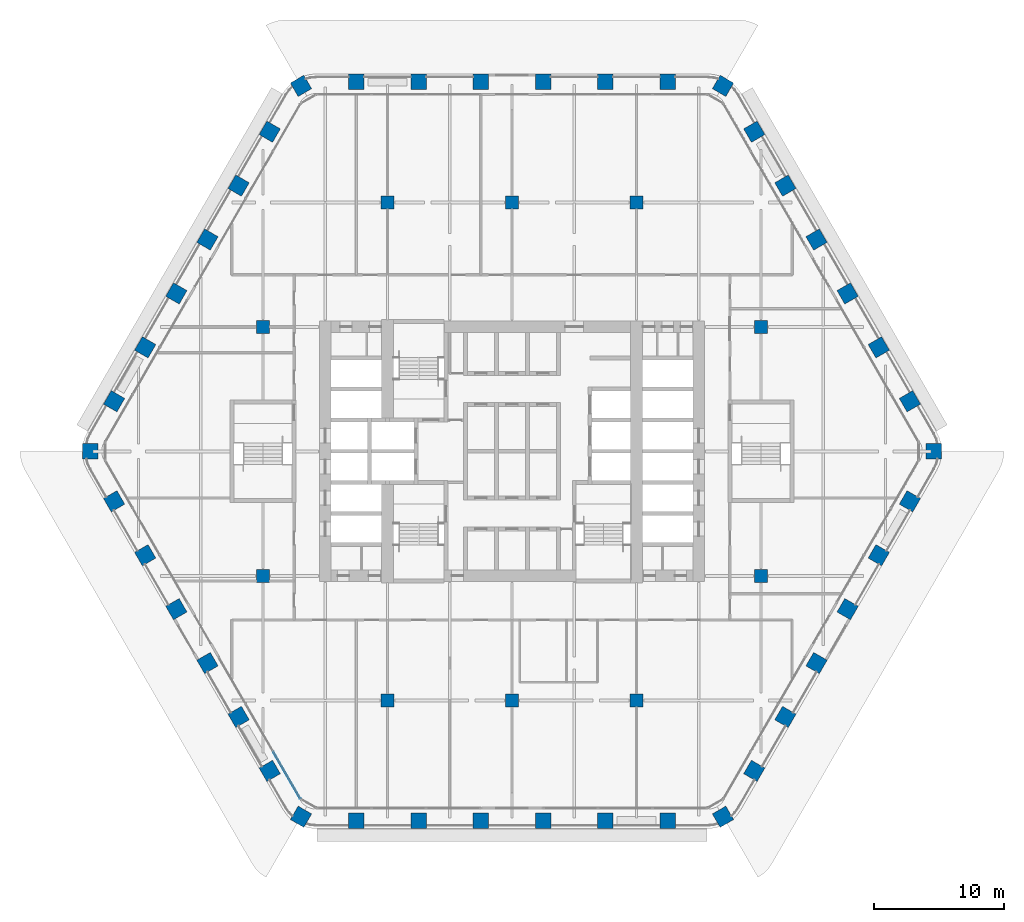
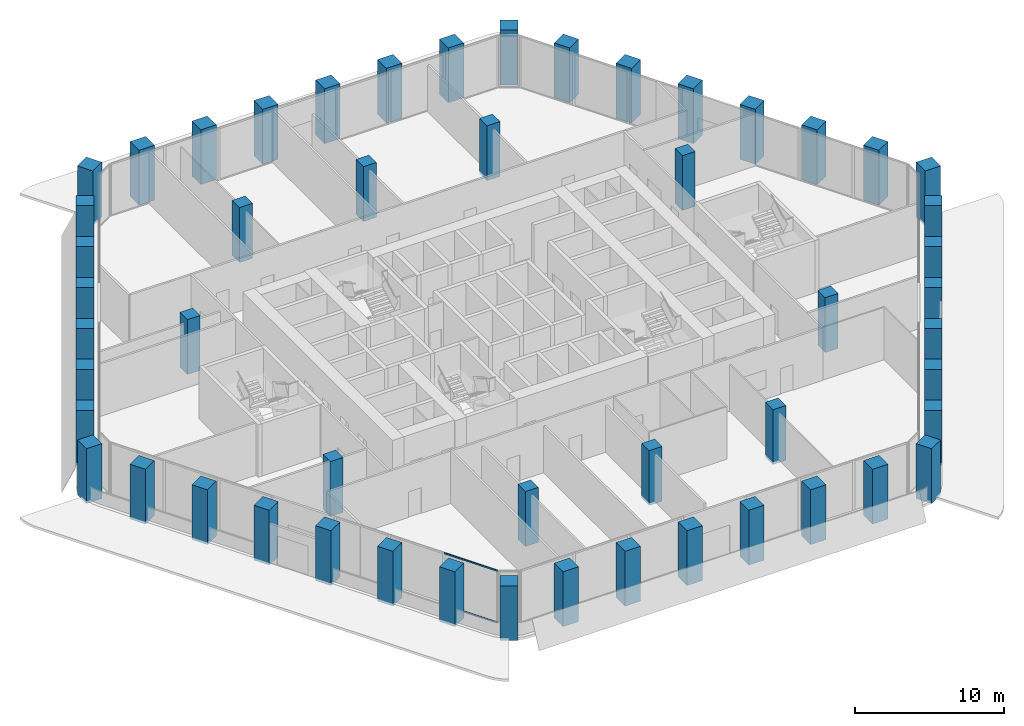
# One storey, part 1 of 23: 52 columns, 2 members, 1 element without a shape of its own.
"""IFC4 building model written with IfcOpenShell, lengths in metres."""

import ifcopenshell
import ifcopenshell.guid

model = None  # the IFC model being written
_history = None  # IfcOwnerHistory: only IFC2X3 demands one
_inside = {}  # id of a spatial element -> (the spatial element, [elements in it])
_under = {}  # id of a project, library or spatial element -> (it, [spatial elements below it])
_declared = {}  # id of a project -> (the project, [libraries it declares])
_typed = {}  # id of a type object -> (the type object, [elements of that type])
_made_of = {}  # id of a material, layer set ... -> (it, [elements and type objects made of it])


def new_model(schema):
    """Start an empty IFC model of exactly this schema.

    Asked for "IFC4X3", IfcOpenShell would pick the latest addendum, in which some entities
    have other attributes; the version numbers below select the first issue.
    IFC2X3 requires an IfcOwnerHistory on every rooted entity: one is made here for all.
    """
    global model, _history
    if schema == "IFC4X3":
        model = ifcopenshell.file(schema_version=(4, 3, 0, 0))
    else:
        model = ifcopenshell.file(schema=schema)
    _inside.clear()
    _under.clear()
    _declared.clear()
    _typed.clear()
    _made_of.clear()
    _history = None
    if model.schema == "IFC2X3":
        org = make("IfcOrganization", Name="unknown")
        user = make(
            "IfcPersonAndOrganization",
            ThePerson=make("IfcPerson", FamilyName="unknown"),
            TheOrganization=org,
        )
        app = make(
            "IfcApplication",
            ApplicationDeveloper=org,
            Version="unknown",
            ApplicationFullName="unknown",
            ApplicationIdentifier="unknown",
        )
        _history = make(
            "IfcOwnerHistory",
            OwningUser=user,
            OwningApplication=app,
            ChangeAction="ADDED",
            CreationDate=0,
        )
    return model


def make(cls, **values):
    """One entity of the class cls with the attributes given. An attribute that is None is left unset."""
    return model.create_entity(
        cls, **{name: value for name, value in values.items() if value is not None}
    )


def rooted(cls, **values):
    """An entity with a GlobalId (a new one), such as an element, a storey or a relation."""
    return make(cls, GlobalId=ifcopenshell.guid.new(), OwnerHistory=_history, **values)


def si_unit(unit_type, name, prefix=None):
    """IfcSIUnit, for example si_unit("LENGTHUNIT", "METRE", prefix="MILLI")."""
    return make("IfcSIUnit", UnitType=unit_type, Prefix=prefix, Name=name)


def assignment(units):
    """IfcUnitAssignment: the units of a project."""
    return None if units is None else make("IfcUnitAssignment", Units=units)


def point(xyz):
    """IfcCartesianPoint."""
    return None if xyz is None else make("IfcCartesianPoint", Coordinates=xyz)


def direction(xyz):
    """IfcDirection."""
    return None if xyz is None else make("IfcDirection", DirectionRatios=xyz)


def frame(location, z_axis=None, x_axis=None):
    """IfcAxis2Placement3D, a coordinate frame: its origin and axes. An axis left out is left unset."""
    return make(
        "IfcAxis2Placement3D",
        Location=point(location),
        Axis=direction(z_axis),
        RefDirection=direction(x_axis),
    )


def frame_2d(location, x_axis=None):
    """IfcAxis2Placement2D, a coordinate frame in the plane: its origin and x axis."""
    return make(
        "IfcAxis2Placement2D", Location=point(location), RefDirection=direction(x_axis)
    )


def origin():
    """The frame at (0, 0, 0) with its axes left unset."""
    return frame((0.0, 0.0, 0.0))


def origin_2d():
    """The frame at (0, 0) in the plane with its x axis left unset."""
    return frame_2d((0.0, 0.0))


def place(relative_to, where):
    """IfcLocalPlacement: puts the frame where relative to a parent placement (None: the world)."""
    return make(
        "IfcLocalPlacement", PlacementRelTo=relative_to, RelativePlacement=where
    )


def context(
    kind, dimensions, precision=None, world=None, true_north=None, identifier=None
):
    """IfcGeometricRepresentationContext, for example the 3D "Model" context."""
    return make(
        "IfcGeometricRepresentationContext",
        ContextIdentifier=identifier,
        ContextType=kind,
        CoordinateSpaceDimension=dimensions,
        Precision=precision,
        WorldCoordinateSystem=world,
        TrueNorth=true_north,
    )


def subcontext(parent, identifier, kind, view, scale=None):
    """IfcGeometricRepresentationSubContext, for example "Body" below "Model"."""
    return make(
        "IfcGeometricRepresentationSubContext",
        ContextIdentifier=identifier,
        ContextType=kind,
        ParentContext=parent,
        TargetScale=scale,
        TargetView=view,
    )


def project(units=None, contexts=None):
    """IfcProject with its units and contexts."""
    return rooted(
        "IfcProject",
        Name="project",
        RepresentationContexts=contexts,
        UnitsInContext=assignment(units),
    )


def spatial(cls, under=None, at=None, **own):
    """A site, building, storey or space (cls), placed at a placement, below another one or the project."""
    s = rooted(cls, ObjectPlacement=at, **own)
    if under is not None:
        _under.setdefault(under.id(), (under, []))[1].append(s)
    return s


def profile(cls, at=None, kind="AREA", **sizes):
    """A parametric profile (cls). Its sizes go by their IFC names, for example OverallWidth=200.0."""
    return make(cls, ProfileType=kind, Position=at, **sizes)


def rectangle(**sizes):
    """IfcRectangleProfileDef."""
    return profile("IfcRectangleProfileDef", **sizes)


def extrude(swept, where, along, depth):
    """IfcExtrudedAreaSolid: the profile swept, set in the frame where, extruded along a direction by depth."""
    return make(
        "IfcExtrudedAreaSolid",
        SweptArea=swept,
        Position=where,
        ExtrudedDirection=direction(along),
        Depth=depth,
    )


def shape(context_of_items, identifier, shape_type, items):
    """IfcShapeRepresentation: the items that make up one representation, for example the "Body"."""
    return make(
        "IfcShapeRepresentation",
        ContextOfItems=context_of_items,
        RepresentationIdentifier=identifier,
        RepresentationType=shape_type,
        Items=items,
    )


def material(Name=None, Category=None):
    """IfcMaterial."""
    return make("IfcMaterial", Name=Name, Category=Category)


def material_profile(
    of_material, cross_section, Name=None, Category=None, Priority=None
):
    """IfcMaterialProfile: a cross section and its material."""
    return make(
        "IfcMaterialProfile",
        Name=Name,
        Material=of_material,
        Profile=cross_section,
        Priority=Priority,
        Category=Category,
    )


def profile_set(profiles, Name=None, composite=None):
    """IfcMaterialProfileSet."""
    return make(
        "IfcMaterialProfileSet",
        Name=Name,
        MaterialProfiles=profiles,
        CompositeProfile=composite,
    )


def made_of(thing, what):
    """Note that an element or type object is made of a material, layer set ...; save() writes the relation."""
    if what is not None:
        _made_of.setdefault(what.id(), (what, []))[1].append(thing)
    return thing


def type_object(cls, material=None, **own):
    """A type object (cls), such as IfcWallType, which elements share."""
    return made_of(rooted(cls, **own), material)


def element(
    cls,
    number,
    at=None,
    inside=None,
    cuts=None,
    type_object=None,
    material=None,
    context=None,
    identifier="Body",
    shape_type=None,
    held_by="IfcProductDefinitionShape",
    body=None,
    shapes=None,
    **own,
):
    """One element of the class cls, such as IfcWall. Its Tag is "e" and its number.

    at: its placement. inside: the storey or other place that contains it. cuts: it is an
    opening in that element (IfcRelVoidsElement). A single representation is given by context,
    identifier, shape_type and body (its items); several are given by shapes. held_by: the class
    of the entity that holds the representations. save() writes the other relations.
    """
    e = rooted(cls, Tag="e%d" % number, ObjectPlacement=at, **own)
    if body is not None:
        shapes = [shape(context, identifier, shape_type, body)]
    if shapes is not None:
        e.Representation = make(held_by, Representations=shapes)
    if inside is not None:
        _inside.setdefault(inside.id(), (inside, []))[1].append(e)
    if cuts is not None:
        rooted(
            "IfcRelVoidsElement", RelatingBuildingElement=cuts, RelatedOpeningElement=e
        )
    if type_object is not None:
        _typed.setdefault(type_object.id(), (type_object, []))[1].append(e)
    return made_of(e, material)


def aggregate(whole, parts):
    """IfcRelAggregates: a whole, such as a stair, and the parts it consists of."""
    return rooted("IfcRelAggregates", RelatingObject=whole, RelatedObjects=parts)


def save(model, path):
    """Write the relations noted so far, then the file.

    IfcRelAggregates (storeys below a building ...), IfcRelContainedInSpatialStructure (elements
    in a storey), IfcRelDefinesByType, IfcRelAssociatesMaterial and IfcRelDeclares: one each for
    every whole, place, type object, material and project.
    """
    for whole, parts in _under.values():
        aggregate(whole, parts)
    for where, things in _inside.values():
        rooted(
            "IfcRelContainedInSpatialStructure",
            RelatedElements=things,
            RelatingStructure=where,
        )
    for kind, things in _typed.values():
        rooted("IfcRelDefinesByType", RelatedObjects=things, RelatingType=kind)
    for what, things in _made_of.values():
        rooted("IfcRelAssociatesMaterial", RelatedObjects=things, RelatingMaterial=what)
    for by, libraries in _declared.values():
        rooted("IfcRelDeclares", RelatingContext=by, RelatedDefinitions=libraries)
    model.write(path)


model = new_model("IFC4")

# Units and contexts
model_context = context("Model", 3, precision=1e-05, world=origin(), true_north=direction((0.0, 1.0)))
body_context = subcontext(model_context, "Body", "Model", "MODEL_VIEW")
ifc_project = project(units=[si_unit("LENGTHUNIT", "METRE"), si_unit("AREAUNIT", "SQUARE_METRE"), si_unit("VOLUMEUNIT", "CUBIC_METRE"), si_unit("PLANEANGLEUNIT", "RADIAN"), si_unit("MASSUNIT", "GRAM", prefix="KILO")], contexts=[model_context])

# Site, building, storey
site_placement = place(None, origin())
site = spatial("IfcSite", under=ifc_project, at=site_placement, CompositionType="ELEMENT")
building_placement = place(site_placement, origin())
building = spatial("IfcBuilding", under=site, at=building_placement, Name="Kolab Exchange Tower", CompositionType="ELEMENT")
storey_placement = place(building_placement, frame((0.0, 0.0, 77.89990234375)))
storey = spatial("IfcBuildingStorey", under=building, at=storey_placement, Name="L14", CompositionType="ELEMENT", Elevation=77.89990234375)

# Columns
ifc_material_1 = material(Name="Concrete C70/85", Category="concrete")
ifc_material_profile_1 = material_profile(ifc_material_1, rectangle(XDim=1.0, YDim=1.0, at=origin_2d()), Name="RC1000")
ifc_profile_set_1 = profile_set([ifc_material_profile_1], Name="Concrete C70/85")
column_type_1 = type_object("IfcColumnType", Name="INTERIOR COLUMN 1000 SQ C70/85", PredefinedType="COLUMN", material=ifc_profile_set_1)
for number, where, z_axis, x_axis, name in (
    (1, (-19.199951171875, -9.60009765625, -0.199951171875), (0.0, 0.0, 1.0), (1.0, 0.0, 0.0), "col/L14/I-I9"),
    (2, (-19.199951171875, 9.60009765625, -0.199951171875), (0.0, 0.0, 1.0), (1.0, 0.0, 0.0), "col/L14/I-I13"),
    (3, (-9.60009765625, -19.199951171875, -0.199951171875), (0.0, 0.0, 1.0), (1.0, 0.0, 0.0), "col/L14/I-K7"),
    (4, (-9.60009765625, 19.199951171875, -0.199951171875), (0.0, 0.0, 1.0), (1.0, 0.0, 0.0), "col/L14/I-K15"),
    (5, (0.0, -19.199951171875, -0.199951171875), (0.0, 0.0, 1.0), (1.0, 0.0, 0.0), "col/L14/I-M7"),
    (6, (0.0, 19.199951171875, -0.199951171875), (0.0, 0.0, 1.0), (1.0, 0.0, 0.0), "col/L14/I-M15"),
    (7, (9.60009765625, -19.199951171875, -0.199951171875), (0.0, 0.0, 1.0), (1.0, 0.0, 0.0), "col/L14/I-O7"),
    (8, (9.60009765625, 19.199951171875, -0.199951171875), (0.0, 0.0, 1.0), (1.0, 0.0, 0.0), "col/L14/I-O15"),
    (9, (19.199951171875, -9.60009765625, -0.199951171875), (0.0, 0.0, 1.0), (1.0, 0.0, 0.0), "col/L14/I-Q9"),
    (10, (19.199951171875, 9.60009765625, -0.199951171875), (0.0, 0.0, 1.0), (1.0, 0.0, 0.0), "col/L14/I-Q13"),
):
    element("IfcColumn", number, at=place(storey_placement, frame(where, z_axis=z_axis, x_axis=x_axis)), inside=storey, type_object=column_type_1, Name=name, PredefinedType="COLUMN", context=body_context, shape_type="SweptSolid", body=[
        extrude(rectangle(XDim=1.0, YDim=1.0, at=origin_2d()), origin(), (0.0, 0.0, 1.0), 4.5),
    ])
ifc_material_profile_2 = material_profile(ifc_material_1, rectangle(XDim=1.199951171875, YDim=1.199951171875, at=origin_2d()), Name="RC1200")
ifc_profile_set_2 = profile_set([ifc_material_profile_2], Name="Concrete C70/85")
column_type_2 = type_object("IfcColumnType", Name="PERIMETER COLUMN 1200 SQ C70/85", PredefinedType="COLUMN", material=ifc_profile_set_2)
for number, where, z_axis, x_axis, name in (
    (11, (-16.26806640625, 28.177001953125, -0.199951171875), (0.0, 0.0, 1.0), (0.866025403784, 0.5, 0.0), "col/L14/F1-01"),
    (12, (-12.0, 28.49853515625, -0.199951171875), (0.0, 0.0, 1.0), (1.0, 0.0, 0.0), "col/L14/F1-02"),
    (13, (-7.199951171875, 28.49853515625, -0.199951171875), (0.0, 0.0, 1.0), (1.0, 0.0, 0.0), "col/L14/F1-03"),
    (14, (-2.39990234375, 28.49853515625, -0.199951171875), (0.0, 0.0, 1.0), (1.0, 0.0, 0.0), "col/L14/F1-04"),
    (15, (2.39990234375, 28.49853515625, -0.199951171875), (0.0, 0.0, 1.0), (1.0, 0.0, 0.0), "col/L14/F1-05"),
    (16, (7.199951171875, 28.49853515625, -0.199951171875), (0.0, 0.0, 1.0), (1.0, 0.0, 0.0), "col/L14/F1-06"),
    (17, (12.0, 28.49853515625, -0.199951171875), (0.0, 0.0, 1.0), (1.0, 0.0, 0.0), "col/L14/F1-07"),
    (18, (16.26806640625, 28.177001953125, -0.199951171875), (0.0, 0.0, 1.0), (0.5, 0.866025403784, 0.0), "col/L14/F2-01"),
    (19, (18.680419921875, 24.6416015625, -0.199951171875), (0.0, 0.0, 1.0), (0.866025403784, 0.5, 0.0), "col/L14/F2-02"),
    (20, (21.080322265625, 20.484619140625, -0.199951171875), (0.0, 0.0, 1.0), (0.866025403784, 0.5, 0.0), "col/L14/F2-03"),
    (21, (23.48046875, 16.32763671875, -0.199951171875), (0.0, 0.0, 1.0), (0.866025403784, 0.5, 0.0), "col/L14/F2-04"),
    (22, (25.88037109375, 12.170654296875, -0.199951171875), (0.0, 0.0, 1.0), (0.866025403784, 0.5, 0.0), "col/L14/F2-05"),
    (23, (28.2802734375, 8.013916015625, -0.199951171875), (0.0, 0.0, 1.0), (0.866025403784, 0.5, 0.0), "col/L14/F2-06"),
    (24, (30.680419921875, 3.85693359375, -0.199951171875), (0.0, 0.0, 1.0), (0.866025403784, 0.5, 0.0), "col/L14/F2-07"),
    (25, (32.535888671875, 0.0, -0.199951171875), (0.0, 0.0, 1.0), (1.0, 0.0, 0.0), "col/L14/F3-01"),
    (26, (30.680419921875, -3.85693359375, -0.199951171875), (0.0, 0.0, 1.0), (0.5, 0.866025403784, 0.0), "col/L14/F3-02"),
    (27, (28.2802734375, -8.013916015625, -0.199951171875), (0.0, 0.0, 1.0), (0.5, 0.866025403784, 0.0), "col/L14/F3-03"),
    (28, (25.88037109375, -12.170654296875, -0.199951171875), (0.0, 0.0, 1.0), (0.5, 0.866025403784, 0.0), "col/L14/F3-04"),
    (29, (23.48046875, -16.32763671875, -0.199951171875), (0.0, 0.0, 1.0), (0.5, 0.866025403784, 0.0), "col/L14/F3-05"),
    (30, (21.080322265625, -20.484619140625, -0.199951171875), (0.0, 0.0, 1.0), (0.5, 0.866025403784, 0.0), "col/L14/F3-06"),
    (31, (18.680419921875, -24.6416015625, -0.199951171875), (0.0, 0.0, 1.0), (0.5, 0.866025403784, 0.0), "col/L14/F3-07"),
    (32, (16.26806640625, -28.177001953125, -0.199951171875), (0.0, 0.0, 1.0), (0.866025403784, 0.5, 0.0), "col/L14/F4-01"),
    (33, (12.0, -28.49853515625, -0.199951171875), (0.0, 0.0, 1.0), (1.0, 0.0, 0.0), "col/L14/F4-02"),
    (34, (7.199951171875, -28.49853515625, -0.199951171875), (0.0, 0.0, 1.0), (1.0, 0.0, 0.0), "col/L14/F4-03"),
    (35, (2.39990234375, -28.49853515625, -0.199951171875), (0.0, 0.0, 1.0), (1.0, 0.0, 0.0), "col/L14/F4-04"),
    (36, (-2.39990234375, -28.49853515625, -0.199951171875), (0.0, 0.0, 1.0), (1.0, 0.0, 0.0), "col/L14/F4-05"),
    (37, (-7.199951171875, -28.49853515625, -0.199951171875), (0.0, 0.0, 1.0), (1.0, 0.0, 0.0), "col/L14/F4-06"),
    (38, (-12.0, -28.49853515625, -0.199951171875), (0.0, 0.0, 1.0), (1.0, 0.0, 0.0), "col/L14/F4-07"),
    (39, (-16.26806640625, -28.177001953125, -0.199951171875), (0.0, 0.0, 1.0), (0.5, 0.866025403784, 0.0), "col/L14/F5-01"),
    (40, (-18.680419921875, -24.6416015625, -0.199951171875), (0.0, 0.0, 1.0), (0.866025403784, 0.5, 0.0), "col/L14/F5-02"),
    (41, (-21.080322265625, -20.484619140625, -0.199951171875), (0.0, 0.0, 1.0), (0.866025403784, 0.5, 0.0), "col/L14/F5-03"),
    (42, (-23.48046875, -16.32763671875, -0.199951171875), (0.0, 0.0, 1.0), (0.866025403784, 0.5, 0.0), "col/L14/F5-04"),
    (43, (-25.88037109375, -12.170654296875, -0.199951171875), (0.0, 0.0, 1.0), (0.866025403784, 0.5, 0.0), "col/L14/F5-05"),
    (44, (-28.2802734375, -8.013916015625, -0.199951171875), (0.0, 0.0, 1.0), (0.866025403784, 0.5, 0.0), "col/L14/F5-06"),
    (45, (-30.680419921875, -3.85693359375, -0.199951171875), (0.0, 0.0, 1.0), (0.866025403784, 0.5, 0.0), "col/L14/F5-07"),
    (46, (-32.535888671875, 0.0, -0.199951171875), (0.0, 0.0, 1.0), (1.0, 0.0, 0.0), "col/L14/F6-01"),
    (47, (-30.680419921875, 3.85693359375, -0.199951171875), (0.0, 0.0, 1.0), (0.5, 0.866025403784, 0.0), "col/L14/F6-02"),
    (48, (-28.2802734375, 8.013916015625, -0.199951171875), (0.0, 0.0, 1.0), (0.5, 0.866025403784, 0.0), "col/L14/F6-03"),
    (49, (-25.88037109375, 12.170654296875, -0.199951171875), (0.0, 0.0, 1.0), (0.5, 0.866025403784, 0.0), "col/L14/F6-04"),
    (50, (-23.48046875, 16.32763671875, -0.199951171875), (0.0, 0.0, 1.0), (0.5, 0.866025403784, 0.0), "col/L14/F6-05"),
    (51, (-21.080322265625, 20.484619140625, -0.199951171875), (0.0, 0.0, 1.0), (0.5, 0.866025403784, 0.0), "col/L14/F6-06"),
    (52, (-18.680419921875, 24.6416015625, -0.199951171875), (0.0, 0.0, 1.0), (0.5, 0.866025403784, 0.0), "col/L14/F6-07"),
):
    element("IfcColumn", number, at=place(storey_placement, frame(where, z_axis=z_axis, x_axis=x_axis)), inside=storey, type_object=column_type_2, Name=name, PredefinedType="COLUMN", context=body_context, shape_type="SweptSolid", body=[
        extrude(rectangle(XDim=1.199951171875, YDim=1.199951171875, at=origin_2d()), origin(), (0.0, 0.0, 1.0), 4.5),
    ])

# Curtain wall, members
ifc_material_2 = material(Name="Aluminium EN AW-6063 T6", Category="aluminium")
curtain_wall_type = type_object("IfcCurtainWallType", Name="UNITISED LOWER MID ZONE CURTAIN WALL", PredefinedType="NOTDEFINED", material=ifc_material_2)
curtain_wall_placement = place(storey_placement, origin())
curtain_wall = element("IfcCurtainWall", 53, at=curtain_wall_placement, inside=storey, type_object=curtain_wall_type, Name="cw/L14/F5-1", PredefinedType="NOTDEFINED")
ifc_material_profile_3 = material_profile(ifc_material_2, rectangle(XDim=0.06005859375, YDim=0.1201171875, at=origin_2d()), Name="RECT 60X120")
ifc_profile_set_3 = profile_set([ifc_material_profile_3], Name="Aluminium EN AW-6063 T6")
member_type = type_object("IfcMemberType", Name="UNITISED LOWER MID ZONE TRANSOM 60 X 120", PredefinedType="USERDEFINED", material=ifc_profile_set_3)
member_1_placement = place(storey_placement, frame((-16.32763671875, -26.756591796875, 0.030029296875), z_axis=(-0.500001996123, 0.866024251319, 0.0), x_axis=(-0.866024251319, -0.500001996123, 0.0)))
member_1 = element("IfcMember", 54, at=member_1_placement, type_object=member_type, Name="CW2 transom 1.1", ObjectType="TRANSOM", PredefinedType="USERDEFINED", context=body_context, shape_type="SweptSolid", body=[
    extrude(rectangle(XDim=0.06005859375, YDim=0.1201171875, at=origin_2d()), origin(), (0.0, 0.0, 1.0), 4.1328125),
])
member_2_placement = place(storey_placement, frame((-16.32763671875, -26.756591796875, 4.27001953125), z_axis=(-0.500001996123, 0.866024251319, 0.0), x_axis=(-0.866024251319, -0.500001996123, 0.0)))
member_2 = element("IfcMember", 55, at=member_2_placement, type_object=member_type, Name="CW2 transom 1.2", ObjectType="TRANSOM", PredefinedType="USERDEFINED", context=body_context, shape_type="SweptSolid", body=[
    extrude(rectangle(XDim=0.06005859375, YDim=0.1201171875, at=origin_2d()), origin(), (0.0, 0.0, 1.0), 4.1328125),
])
aggregate(curtain_wall, [member_1, member_2])

save(model, "model.ifc")
